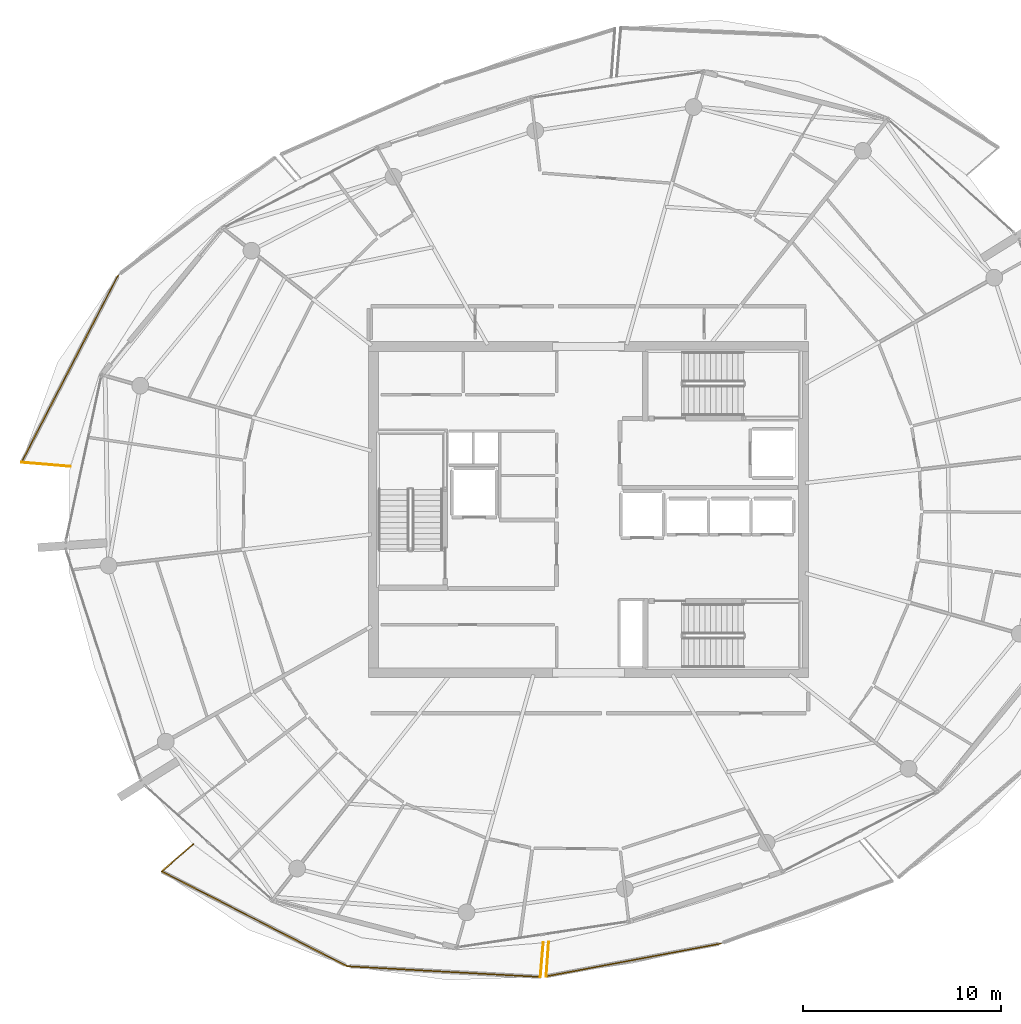
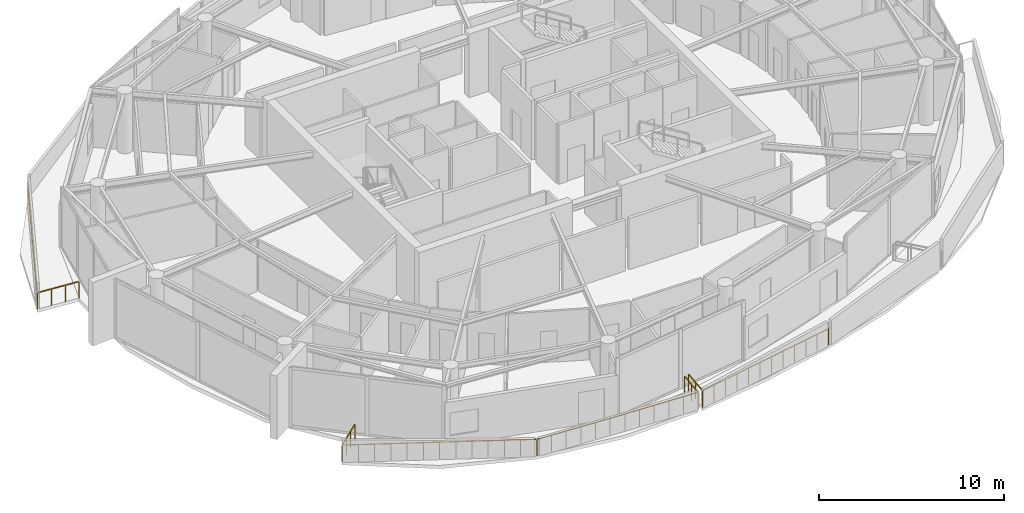
# One storey, part 16 of 20: 8 railings.
"""IFC4 building model written with IfcOpenShell, lengths in metres."""

from ifc_helpers import new_model, si_unit, direction, frame, origin, origin_2d, place, context, subcontext, project, spatial, rectangle, extrude, material, type_object, element, save


model = new_model("IFC4")

# Units and contexts
model_context = context("Model", 3, precision=1e-05, world=origin(), true_north=direction((0.0, 1.0)))
body_context = subcontext(model_context, "Body", "Model", "MODEL_VIEW")
ifc_project = project(units=[si_unit("LENGTHUNIT", "METRE"), si_unit("AREAUNIT", "SQUARE_METRE"), si_unit("VOLUMEUNIT", "CUBIC_METRE"), si_unit("PLANEANGLEUNIT", "RADIAN"), si_unit("MASSUNIT", "GRAM", prefix="KILO")], contexts=[model_context])

# Site, building, storey
site_placement = place(None, origin())
site = spatial("IfcSite", under=ifc_project, at=site_placement, CompositionType="ELEMENT")
building_placement = place(site_placement, origin())
building = spatial("IfcBuilding", under=site, at=building_placement, Name="Kazma Halo Residences", CompositionType="ELEMENT")
storey_placement = place(building_placement, frame((0.0, 0.0, 317.89990234375)))
storey = spatial("IfcBuildingStorey", under=building, at=storey_placement, Name="L80", CompositionType="ELEMENT", Elevation=317.89990234375)

# Railings
ifc_material = material(Name="Aluminium AW-6063 T6 Brushed Cap Rail", Category="aluminium")
railing_type = type_object("IfcRailingType", Name="RLG-BAL-CAP-1120", PredefinedType="BALUSTRADE", material=ifc_material)
railing_1_placement = place(storey_placement, frame((24.643310546875, 53.90087890625, 0.0)))
element("IfcRailing", 1, at=railing_1_placement, inside=storey, type_object=railing_type, Name="L80 NW wave balcony guard 3", PredefinedType="BALUSTRADE", context=body_context, shape_type="SweptSolid", body=[
    extrude(rectangle(XDim=0.050048828125, YDim=0.050048828125, at=origin_2d()), frame((-0.01953125, -0.037841796875, 1.09521484375), z_axis=(-0.458502172926, -0.888693286473, 0.0), x_axis=(0.888693286473, -0.458502172926, 0.0)), (0.0, 0.0, 1.0), 10.608154296875),
    extrude(rectangle(XDim=0.0400390625, YDim=0.0400390625, at=origin_2d()), origin(), (0.0, 0.0, 1.0), 1.05810546875),
    extrude(rectangle(XDim=0.0400390625, YDim=0.0400390625, at=origin_2d()), frame((-0.40869140625, -0.7919921875, 0.0)), (0.0, 0.0, 1.0), 1.05810546875),
    extrude(rectangle(XDim=0.0400390625, YDim=0.0400390625, at=origin_2d()), frame((-0.817138671875, -1.583740234375, 0.0)), (0.0, 0.0, 1.0), 1.05810546875),
    extrude(rectangle(XDim=0.0400390625, YDim=0.0400390625, at=origin_2d()), frame((-1.2255859375, -2.375732421875, 0.0)), (0.0, 0.0, 1.0), 1.05810546875),
    extrude(rectangle(XDim=0.0400390625, YDim=0.0400390625, at=origin_2d()), frame((-1.63427734375, -3.167724609375, 0.0)), (0.0, 0.0, 1.0), 1.05810546875),
    extrude(rectangle(XDim=0.0400390625, YDim=0.0400390625, at=origin_2d()), frame((-2.04296875, -3.95947265625, 0.0)), (0.0, 0.0, 1.0), 1.05810546875),
    extrude(rectangle(XDim=0.0400390625, YDim=0.0400390625, at=origin_2d()), frame((-2.451416015625, -4.75146484375, 0.0)), (0.0, 0.0, 1.0), 1.05810546875),
    extrude(rectangle(XDim=0.0400390625, YDim=0.0400390625, at=origin_2d()), frame((-2.85986328125, -5.54345703125, 0.0)), (0.0, 0.0, 1.0), 1.05810546875),
    extrude(rectangle(XDim=0.0400390625, YDim=0.0400390625, at=origin_2d()), frame((-3.2685546875, -6.335205078125, 0.0)), (0.0, 0.0, 1.0), 1.05810546875),
    extrude(rectangle(XDim=0.0400390625, YDim=0.0400390625, at=origin_2d()), frame((-3.67724609375, -7.127197265625, 0.0)), (0.0, 0.0, 1.0), 1.05810546875),
    extrude(rectangle(XDim=0.0400390625, YDim=0.0400390625, at=origin_2d()), frame((-4.085693359375, -7.919189453125, 0.0)), (0.0, 0.0, 1.0), 1.05810546875),
    extrude(rectangle(XDim=0.0400390625, YDim=0.0400390625, at=origin_2d()), frame((-4.494140625, -8.7109375, 0.0)), (0.0, 0.0, 1.0), 1.05810546875),
    extrude(rectangle(XDim=0.0400390625, YDim=0.0400390625, at=origin_2d()), frame((-4.90283203125, -9.5029296875, 0.0)), (0.0, 0.0, 1.0), 1.05810546875),
])
railing_2_placement = place(storey_placement, frame((19.740478515625, 44.39794921875, 0.0)))
element("IfcRailing", 2, at=railing_2_placement, inside=storey, type_object=railing_type, Name="L80 NW wave balcony guard 4", PredefinedType="BALUSTRADE", context=body_context, shape_type="SweptSolid", body=[
    extrude(rectangle(XDim=0.050048828125, YDim=0.050048828125, at=origin_2d()), frame((0.04248046875, -0.003662109375, 1.09521484375), z_axis=(0.996413397931, -0.084618794743, 0.0), x_axis=(0.084618794743, 0.996413397931, 0.0)), (0.0, 0.0, 1.0), 2.393310546875),
    extrude(rectangle(XDim=0.0400390625, YDim=0.0400390625, at=origin_2d()), origin(), (0.0, 0.0, 1.0), 1.05810546875),
    extrude(rectangle(XDim=0.0400390625, YDim=0.0400390625, at=origin_2d()), frame((0.8232421875, -0.06982421875, 0.0)), (0.0, 0.0, 1.0), 1.05810546875),
    extrude(rectangle(XDim=0.0400390625, YDim=0.0400390625, at=origin_2d()), frame((1.646240234375, -0.139892578125, 0.0)), (0.0, 0.0, 1.0), 1.05810546875),
    extrude(rectangle(XDim=0.0400390625, YDim=0.0400390625, at=origin_2d()), frame((2.469482421875, -0.209716796875, 0.0)), (0.0, 0.0, 1.0), 1.05810546875),
])
railing_3_placement = place(storey_placement, frame((28.421630859375, 25.070556640625, 0.0)))
element("IfcRailing", 3, at=railing_3_placement, inside=storey, type_object=railing_type, Name="L80 SW wave balcony guard 1", PredefinedType="BALUSTRADE", context=body_context, shape_type="SweptSolid", body=[
    extrude(rectangle(XDim=0.050048828125, YDim=0.050048828125, at=origin_2d()), frame((-0.0322265625, -0.02783203125, 1.09521484375), z_axis=(-0.756445254741, -0.654057013248, 0.0), x_axis=(0.654057013248, -0.756445254741, 0.0)), (0.0, 0.0, 1.0), 2.022705078125),
    extrude(rectangle(XDim=0.0400390625, YDim=0.0400390625, at=origin_2d()), origin(), (0.0, 0.0, 1.0), 1.05810546875),
    extrude(rectangle(XDim=0.0400390625, YDim=0.0400390625, at=origin_2d()), frame((-0.531494140625, -0.45947265625, 0.0)), (0.0, 0.0, 1.0), 1.05810546875),
    extrude(rectangle(XDim=0.0400390625, YDim=0.0400390625, at=origin_2d()), frame((-1.06298828125, -0.919189453125, 0.0)), (0.0, 0.0, 1.0), 1.05810546875),
    extrude(rectangle(XDim=0.0400390625, YDim=0.0400390625, at=origin_2d()), frame((-1.594482421875, -1.378662109375, 0.0)), (0.0, 0.0, 1.0), 1.05810546875),
])
railing_4_placement = place(storey_placement, frame((26.8271484375, 23.69189453125, 0.0)))
element("IfcRailing", 4, at=railing_4_placement, inside=storey, type_object=railing_type, Name="L80 SW wave balcony guard 2", PredefinedType="BALUSTRADE", context=body_context, shape_type="SweptSolid", body=[
    extrude(rectangle(XDim=0.050048828125, YDim=0.050048828125, at=origin_2d()), frame((0.037841796875, -0.019287109375, 1.09521484375), z_axis=(0.890671641326, -0.45464714597, 0.0), x_axis=(0.45464714597, 0.890671641326, 0.0)), (0.0, 0.0, 1.0), 10.46826171875),
    extrude(rectangle(XDim=0.0400390625, YDim=0.0400390625, at=origin_2d()), origin(), (0.0, 0.0, 1.0), 1.05810546875),
    extrude(rectangle(XDim=0.0400390625, YDim=0.0400390625, at=origin_2d()), frame((0.783203125, -0.39990234375, 0.0)), (0.0, 0.0, 1.0), 1.05810546875),
    extrude(rectangle(XDim=0.0400390625, YDim=0.0400390625, at=origin_2d()), frame((1.566650390625, -0.7998046875, 0.0)), (0.0, 0.0, 1.0), 1.05810546875),
    extrude(rectangle(XDim=0.0400390625, YDim=0.0400390625, at=origin_2d()), frame((2.349853515625, -1.199462890625, 0.0)), (0.0, 0.0, 1.0), 1.05810546875),
    extrude(rectangle(XDim=0.0400390625, YDim=0.0400390625, at=origin_2d()), frame((3.13330078125, -1.599365234375, 0.0)), (0.0, 0.0, 1.0), 1.05810546875),
    extrude(rectangle(XDim=0.0400390625, YDim=0.0400390625, at=origin_2d()), frame((3.91650390625, -1.999267578125, 0.0)), (0.0, 0.0, 1.0), 1.05810546875),
    extrude(rectangle(XDim=0.0400390625, YDim=0.0400390625, at=origin_2d()), frame((4.69970703125, -2.39892578125, 0.0)), (0.0, 0.0, 1.0), 1.05810546875),
    extrude(rectangle(XDim=0.0400390625, YDim=0.0400390625, at=origin_2d()), frame((5.483154296875, -2.798828125, 0.0)), (0.0, 0.0, 1.0), 1.05810546875),
    extrude(rectangle(XDim=0.0400390625, YDim=0.0400390625, at=origin_2d()), frame((6.266357421875, -3.19873046875, 0.0)), (0.0, 0.0, 1.0), 1.05810546875),
    extrude(rectangle(XDim=0.0400390625, YDim=0.0400390625, at=origin_2d()), frame((7.0498046875, -3.5986328125, 0.0)), (0.0, 0.0, 1.0), 1.05810546875),
    extrude(rectangle(XDim=0.0400390625, YDim=0.0400390625, at=origin_2d()), frame((7.8330078125, -3.99853515625, 0.0)), (0.0, 0.0, 1.0), 1.05810546875),
    extrude(rectangle(XDim=0.0400390625, YDim=0.0400390625, at=origin_2d()), frame((8.616455078125, -4.398193359375, 0.0)), (0.0, 0.0, 1.0), 1.05810546875),
    extrude(rectangle(XDim=0.0400390625, YDim=0.0400390625, at=origin_2d()), frame((9.399658203125, -4.798095703125, 0.0)), (0.0, 0.0, 1.0), 1.05810546875),
])
railing_5_placement = place(storey_placement, frame((36.226806640625, 18.893798828125, 0.0)))
element("IfcRailing", 5, at=railing_5_placement, inside=storey, type_object=railing_type, Name="L80 SW wave balcony guard 3", PredefinedType="BALUSTRADE", context=body_context, shape_type="SweptSolid", body=[
    extrude(rectangle(XDim=0.050048828125, YDim=0.050048828125, at=origin_2d()), frame((0.04248046875, -0.00244140625, 1.09521484375), z_axis=(0.99847345735, -0.055233639823, 0.0), x_axis=(0.055233639823, 0.99847345735, 0.0)), (0.0, 0.0, 1.0), 9.69677734375),
    extrude(rectangle(XDim=0.0400390625, YDim=0.0400390625, at=origin_2d()), origin(), (0.0, 0.0, 1.0), 1.05810546875),
    extrude(rectangle(XDim=0.0400390625, YDim=0.0400390625, at=origin_2d()), frame((0.887939453125, -0.049072265625, 0.0)), (0.0, 0.0, 1.0), 1.05810546875),
    extrude(rectangle(XDim=0.0400390625, YDim=0.0400390625, at=origin_2d()), frame((1.77587890625, -0.09814453125, 0.0)), (0.0, 0.0, 1.0), 1.05810546875),
    extrude(rectangle(XDim=0.0400390625, YDim=0.0400390625, at=origin_2d()), frame((2.66357421875, -0.1474609375, 0.0)), (0.0, 0.0, 1.0), 1.05810546875),
    extrude(rectangle(XDim=0.0400390625, YDim=0.0400390625, at=origin_2d()), frame((3.551513671875, -0.196533203125, 0.0)), (0.0, 0.0, 1.0), 1.05810546875),
    extrude(rectangle(XDim=0.0400390625, YDim=0.0400390625, at=origin_2d()), frame((4.439453125, -0.24560546875, 0.0)), (0.0, 0.0, 1.0), 1.05810546875),
    extrude(rectangle(XDim=0.0400390625, YDim=0.0400390625, at=origin_2d()), frame((5.327392578125, -0.294677734375, 0.0)), (0.0, 0.0, 1.0), 1.05810546875),
    extrude(rectangle(XDim=0.0400390625, YDim=0.0400390625, at=origin_2d()), frame((6.21533203125, -0.34375, 0.0)), (0.0, 0.0, 1.0), 1.05810546875),
    extrude(rectangle(XDim=0.0400390625, YDim=0.0400390625, at=origin_2d()), frame((7.103271484375, -0.392822265625, 0.0)), (0.0, 0.0, 1.0), 1.05810546875),
    extrude(rectangle(XDim=0.0400390625, YDim=0.0400390625, at=origin_2d()), frame((7.990966796875, -0.442138671875, 0.0)), (0.0, 0.0, 1.0), 1.05810546875),
    extrude(rectangle(XDim=0.0400390625, YDim=0.0400390625, at=origin_2d()), frame((8.87890625, -0.4912109375, 0.0)), (0.0, 0.0, 1.0), 1.05810546875),
    extrude(rectangle(XDim=0.0400390625, YDim=0.0400390625, at=origin_2d()), frame((9.766845703125, -0.540283203125, 0.0)), (0.0, 0.0, 1.0), 1.05810546875),
])
railing_6_placement = place(storey_placement, frame((45.99365234375, 18.353515625, 0.0)))
element("IfcRailing", 6, at=railing_6_placement, inside=storey, type_object=railing_type, Name="L80 SW wave balcony guard 4", PredefinedType="BALUSTRADE", context=body_context, shape_type="SweptSolid", body=[
    extrude(rectangle(XDim=0.050048828125, YDim=0.050048828125, at=origin_2d()), frame((0.003662109375, 0.04248046875, 1.09521484375), z_axis=(0.084478617408, 0.996425292333, 0.0), x_axis=(-0.996425292333, 0.084478617408, 0.0)), (0.0, 0.0, 1.0), 1.64892578125),
    extrude(rectangle(XDim=0.0400390625, YDim=0.0400390625, at=origin_2d()), origin(), (0.0, 0.0, 1.0), 1.05810546875),
    extrude(rectangle(XDim=0.0400390625, YDim=0.0400390625, at=origin_2d()), frame((0.0732421875, 0.86376953125, 0.0)), (0.0, 0.0, 1.0), 1.05810546875),
    extrude(rectangle(XDim=0.0400390625, YDim=0.0400390625, at=origin_2d()), frame((0.146484375, 1.727783203125, 0.0)), (0.0, 0.0, 1.0), 1.05810546875),
])
railing_7_placement = place(storey_placement, frame((46.41259765625, 20.1220703125, 0.0)))
element("IfcRailing", 7, at=railing_7_placement, inside=storey, type_object=railing_type, Name="L80 SSE wave balcony guard 1", PredefinedType="BALUSTRADE", context=body_context, shape_type="SweptSolid", body=[
    extrude(rectangle(XDim=0.050048828125, YDim=0.050048828125, at=origin_2d()), frame((-0.003173828125, -0.04248046875, 1.09521484375), z_axis=(-0.072401456064, -0.997375570766, 0.0), x_axis=(0.997375570766, -0.072401456064, 0.0)), (0.0, 0.0, 1.0), 1.658203125),
    extrude(rectangle(XDim=0.0400390625, YDim=0.0400390625, at=origin_2d()), origin(), (0.0, 0.0, 1.0), 1.05810546875),
    extrude(rectangle(XDim=0.0400390625, YDim=0.0400390625, at=origin_2d()), frame((-0.06298828125, -0.869384765625, 0.0)), (0.0, 0.0, 1.0), 1.05810546875),
    extrude(rectangle(XDim=0.0400390625, YDim=0.0400390625, at=origin_2d()), frame((-0.126220703125, -1.73876953125, 0.0)), (0.0, 0.0, 1.0), 1.05810546875),
])
railing_8_placement = place(storey_placement, frame((46.286376953125, 18.38330078125, 0.0)))
element("IfcRailing", 8, at=railing_8_placement, inside=storey, type_object=railing_type, Name="L80 SSE wave balcony guard 2", PredefinedType="BALUSTRADE", context=body_context, shape_type="SweptSolid", body=[
    extrude(rectangle(XDim=0.050048828125, YDim=0.050048828125, at=origin_2d()), frame((0.041748046875, 0.0078125, 1.09521484375), z_axis=(0.982837783397, 0.184471926122, 0.0), x_axis=(-0.184471926122, 0.982837783397, 0.0)), (0.0, 0.0, 1.0), 8.9169921875),
    extrude(rectangle(XDim=0.0400390625, YDim=0.0400390625, at=origin_2d()), origin(), (0.0, 0.0, 1.0), 1.05810546875),
    extrude(rectangle(XDim=0.0400390625, YDim=0.0400390625, at=origin_2d()), frame((0.804443359375, 0.15087890625, 0.0)), (0.0, 0.0, 1.0), 1.05810546875),
    extrude(rectangle(XDim=0.0400390625, YDim=0.0400390625, at=origin_2d()), frame((1.608642578125, 0.302001953125, 0.0)), (0.0, 0.0, 1.0), 1.05810546875),
    extrude(rectangle(XDim=0.0400390625, YDim=0.0400390625, at=origin_2d()), frame((2.4130859375, 0.452880859375, 0.0)), (0.0, 0.0, 1.0), 1.05810546875),
    extrude(rectangle(XDim=0.0400390625, YDim=0.0400390625, at=origin_2d()), frame((3.21728515625, 0.603759765625, 0.0)), (0.0, 0.0, 1.0), 1.05810546875),
    extrude(rectangle(XDim=0.0400390625, YDim=0.0400390625, at=origin_2d()), frame((4.021728515625, 0.7548828125, 0.0)), (0.0, 0.0, 1.0), 1.05810546875),
    extrude(rectangle(XDim=0.0400390625, YDim=0.0400390625, at=origin_2d()), frame((4.825927734375, 0.90576171875, 0.0)), (0.0, 0.0, 1.0), 1.05810546875),
    extrude(rectangle(XDim=0.0400390625, YDim=0.0400390625, at=origin_2d()), frame((5.63037109375, 1.056884765625, 0.0)), (0.0, 0.0, 1.0), 1.05810546875),
    extrude(rectangle(XDim=0.0400390625, YDim=0.0400390625, at=origin_2d()), frame((6.4345703125, 1.207763671875, 0.0)), (0.0, 0.0, 1.0), 1.05810546875),
    extrude(rectangle(XDim=0.0400390625, YDim=0.0400390625, at=origin_2d()), frame((7.239013671875, 1.358642578125, 0.0)), (0.0, 0.0, 1.0), 1.05810546875),
    extrude(rectangle(XDim=0.0400390625, YDim=0.0400390625, at=origin_2d()), frame((8.043212890625, 1.509765625, 0.0)), (0.0, 0.0, 1.0), 1.05810546875),
    extrude(rectangle(XDim=0.0400390625, YDim=0.0400390625, at=origin_2d()), frame((8.84765625, 1.66064453125, 0.0)), (0.0, 0.0, 1.0), 1.05810546875),
])

save(model, "model.ifc")
